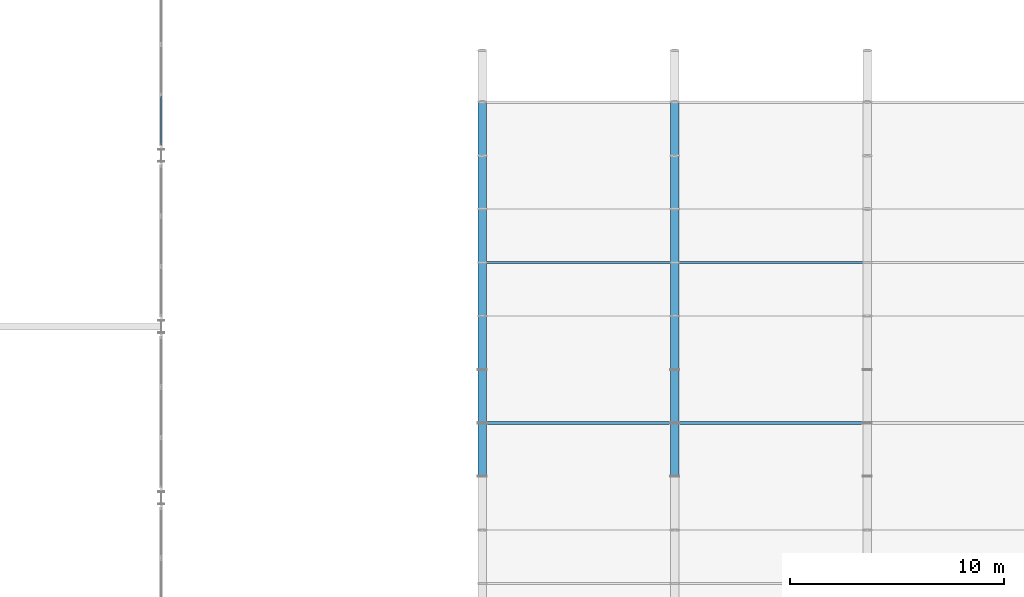
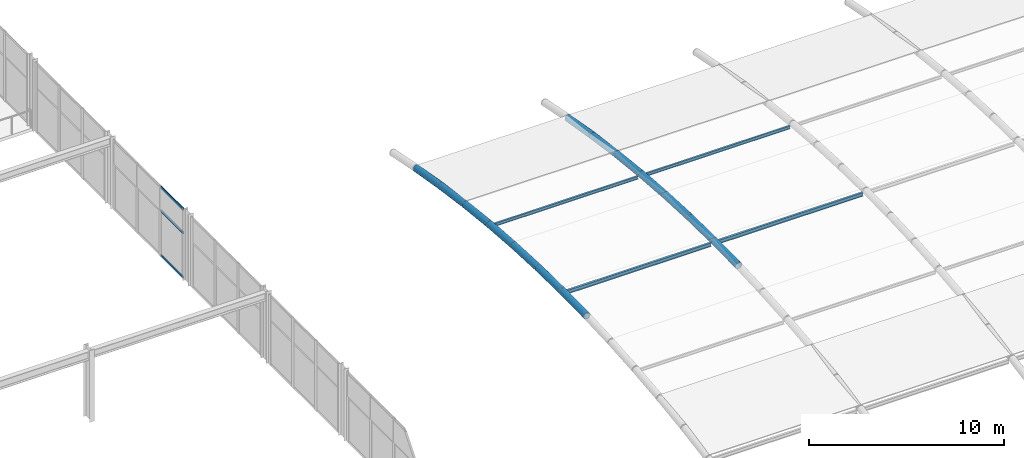
# One storey, part 44 of 105: 21 members, 1 element without a shape of its own.
"""IFC4 building model written with IfcOpenShell, lengths in metres."""

from ifc_helpers import new_model, si_unit, direction, frame, origin, origin_2d, place, context, subcontext, project, spatial, hollow_rectangle, hollow_circle, i_section, extrude, material, layer, layer_set, material_profile, profile_set, type_object, element, aggregate, save


model = new_model("IFC4")

# Units and contexts
model_context = context("Model", 3, precision=1e-05, world=origin(), true_north=direction((0.0, 1.0)))
body_context = subcontext(model_context, "Body", "Model", "MODEL_VIEW")
ifc_project = project(units=[si_unit("LENGTHUNIT", "METRE"), si_unit("AREAUNIT", "SQUARE_METRE"), si_unit("VOLUMEUNIT", "CUBIC_METRE"), si_unit("PLANEANGLEUNIT", "RADIAN"), si_unit("MASSUNIT", "GRAM", prefix="KILO")], contexts=[model_context])

# Site, building, storey
site_placement = place(None, origin())
site = spatial("IfcSite", under=ifc_project, at=site_placement, CompositionType="ELEMENT")
building_placement = place(site_placement, origin())
building = spatial("IfcBuilding", under=site, at=building_placement, Name="Marlcrest Central Station", CompositionType="ELEMENT")
storey_placement = place(building_placement, frame((0.0, 0.0, 15.0)))
storey = spatial("IfcBuildingStorey", under=building, at=storey_placement, Name="L03", CompositionType="ELEMENT", Elevation=15.0)

# Members
ifc_material_1 = material(Name="Steel S355", Category="steel")
ifc_material_profile_1 = material_profile(ifc_material_1, hollow_circle(Radius=0.203125, WallThickness=0.02001953125, at=origin_2d()), Name="CHS 406.4x20")
ifc_profile_set_1 = profile_set([ifc_material_profile_1], Name="Steel S355")
member_type_1 = type_object("IfcMemberType", Name="AC-01", PredefinedType="CHORD", material=ifc_profile_set_1)
for number, where, z_axis, x_axis, name in (
    (1, (144.0, 63.5, 1.76123046875), (0.0, 0.999879472592, 0.01552547228), (-1.0, 0.0, 0.0), "mem-AC-01-L03-01136"),
    (2, (144.0, 66.0, 1.800048828125), (0.0, 0.999879472592, -0.01552547228), (-1.0, 0.0, 0.0), "mem-AC-01-L03-01140"),
):
    element("IfcMember", number, at=place(storey_placement, frame(where, z_axis=z_axis, x_axis=x_axis)), inside=storey, type_object=member_type_1, Name=name, PredefinedType="CHORD", context=body_context, shape_type="SweptSolid", body=[
        extrude(hollow_circle(Radius=0.203125, WallThickness=0.02001953125, at=origin_2d()), origin(), (0.0, 0.0, 1.0), 2.500244140625),
    ])
member_1_placement = place(storey_placement, frame((144.0, 68.5, 1.76123046875), z_axis=(0.0, 0.998921349185, -0.046434234591), x_axis=(-1.0, 0.0, 0.0)))
element("IfcMember", 3, at=member_1_placement, inside=storey, type_object=member_type_1, Name="mem-AC-01-L03-01144", PredefinedType="CHORD", context=body_context, shape_type="SweptSolid", body=[
    extrude(hollow_circle(Radius=0.203125, WallThickness=0.02001953125, at=origin_2d()), origin(), (0.0, 0.0, 1.0), 2.502685546875),
])
member_2_placement = place(storey_placement, frame((144.0, 71.0, 1.64501953125), z_axis=(0.0, 0.996999825732, -0.077403795064), x_axis=(-1.0, 0.0, 0.0)))
element("IfcMember", 4, at=member_2_placement, inside=storey, type_object=member_type_1, Name="mem-AC-01-L03-01148", PredefinedType="CHORD", context=body_context, shape_type="SweptSolid", body=[
    extrude(hollow_circle(Radius=0.203125, WallThickness=0.02001953125, at=origin_2d()), origin(), (0.0, 0.0, 1.0), 2.507568359375),
])
member_3_placement = place(storey_placement, frame((144.0, 73.5, 1.450927734375), z_axis=(0.0, 0.994155341034, -0.107959056565), x_axis=(-1.0, 0.0, 0.0)))
element("IfcMember", 5, at=member_3_placement, inside=storey, type_object=member_type_1, Name="mem-AC-01-L03-01152", PredefinedType="CHORD", context=body_context, shape_type="SweptSolid", body=[
    extrude(hollow_circle(Radius=0.203125, WallThickness=0.02001953125, at=origin_2d()), origin(), (0.0, 0.0, 1.0), 2.5146484375),
])
member_4_placement = place(storey_placement, frame((144.0, 76.0, 1.179443359375), z_axis=(0.0, 0.990402740232, -0.138211476152), x_axis=(-1.0, 0.0, 0.0)))
element("IfcMember", 6, at=member_4_placement, inside=storey, type_object=member_type_1, Name="mem-AC-01-L03-01156", PredefinedType="CHORD", context=body_context, shape_type="SweptSolid", body=[
    extrude(hollow_circle(Radius=0.203125, WallThickness=0.02001953125, at=origin_2d()), origin(), (0.0, 0.0, 1.0), 2.524169921875),
])
member_5_placement = place(storey_placement, frame((144.0, 78.5, 0.83056640625), z_axis=(0.0, 0.98574109921, -0.168269086076), x_axis=(-1.0, 0.0, 0.0)))
element("IfcMember", 7, at=member_5_placement, inside=storey, type_object=member_type_1, Name="mem-AC-01-L03-01160", PredefinedType="CHORD", context=body_context, shape_type="SweptSolid", body=[
    extrude(hollow_circle(Radius=0.203125, WallThickness=0.02001953125, at=origin_2d()), origin(), (0.0, 0.0, 1.0), 2.5361328125),
])
for number, where, z_axis, x_axis, name in (
    (8, (153.0, 63.5, 1.76123046875), (0.0, 0.999879472592, 0.01552547228), (-1.0, 0.0, 0.0), "mem-AC-01-L03-01252"),
    (9, (153.0, 66.0, 1.800048828125), (0.0, 0.999879472592, -0.01552547228), (-1.0, 0.0, 0.0), "mem-AC-01-L03-01256"),
):
    element("IfcMember", number, at=place(storey_placement, frame(where, z_axis=z_axis, x_axis=x_axis)), inside=storey, type_object=member_type_1, Name=name, PredefinedType="CHORD", context=body_context, shape_type="SweptSolid", body=[
        extrude(hollow_circle(Radius=0.203125, WallThickness=0.02001953125, at=origin_2d()), origin(), (0.0, 0.0, 1.0), 2.500244140625),
    ])
member_6_placement = place(storey_placement, frame((153.0, 68.5, 1.76123046875), z_axis=(0.0, 0.998921349185, -0.046434234591), x_axis=(-1.0, 0.0, 0.0)))
element("IfcMember", 10, at=member_6_placement, inside=storey, type_object=member_type_1, Name="mem-AC-01-L03-01260", PredefinedType="CHORD", context=body_context, shape_type="SweptSolid", body=[
    extrude(hollow_circle(Radius=0.203125, WallThickness=0.02001953125, at=origin_2d()), origin(), (0.0, 0.0, 1.0), 2.502685546875),
])
member_7_placement = place(storey_placement, frame((153.0, 71.0, 1.64501953125), z_axis=(0.0, 0.996999825732, -0.077403795064), x_axis=(-1.0, 0.0, 0.0)))
element("IfcMember", 11, at=member_7_placement, inside=storey, type_object=member_type_1, Name="mem-AC-01-L03-01264", PredefinedType="CHORD", context=body_context, shape_type="SweptSolid", body=[
    extrude(hollow_circle(Radius=0.203125, WallThickness=0.02001953125, at=origin_2d()), origin(), (0.0, 0.0, 1.0), 2.507568359375),
])
member_8_placement = place(storey_placement, frame((153.0, 73.5, 1.450927734375), z_axis=(0.0, 0.994155341034, -0.107959056565), x_axis=(-1.0, 0.0, 0.0)))
element("IfcMember", 12, at=member_8_placement, inside=storey, type_object=member_type_1, Name="mem-AC-01-L03-01268", PredefinedType="CHORD", context=body_context, shape_type="SweptSolid", body=[
    extrude(hollow_circle(Radius=0.203125, WallThickness=0.02001953125, at=origin_2d()), origin(), (0.0, 0.0, 1.0), 2.5146484375),
])
member_9_placement = place(storey_placement, frame((153.0, 76.0, 1.179443359375), z_axis=(0.0, 0.990402740232, -0.138211476152), x_axis=(-1.0, 0.0, 0.0)))
element("IfcMember", 13, at=member_9_placement, inside=storey, type_object=member_type_1, Name="mem-AC-01-L03-01272", PredefinedType="CHORD", context=body_context, shape_type="SweptSolid", body=[
    extrude(hollow_circle(Radius=0.203125, WallThickness=0.02001953125, at=origin_2d()), origin(), (0.0, 0.0, 1.0), 2.524169921875),
])
member_10_placement = place(storey_placement, frame((153.0, 78.5, 0.83056640625), z_axis=(0.0, 0.98574109921, -0.168269086076), x_axis=(-1.0, 0.0, 0.0)))
element("IfcMember", 14, at=member_10_placement, inside=storey, type_object=member_type_1, Name="mem-AC-01-L03-01276", PredefinedType="CHORD", context=body_context, shape_type="SweptSolid", body=[
    extrude(hollow_circle(Radius=0.203125, WallThickness=0.02001953125, at=origin_2d()), origin(), (0.0, 0.0, 1.0), 2.5361328125),
])
ifc_material_profile_2 = material_profile(ifc_material_1, i_section(OverallWidth=0.10009765625, OverallDepth=0.199951171875, WebThickness=0.005615234375, FlangeThickness=0.008544921875, FilletRadius=0.011962890625, at=origin_2d()), Name="IPE 200")
ifc_profile_set_2 = profile_set([ifc_material_profile_2], Name="Steel S355")
member_type_2 = type_object("IfcMemberType", Name="PR-01", PredefinedType="PURLIN", material=ifc_profile_set_2)
for number, where, z_axis, x_axis, name in (
    (15, (144.179931640625, 73.5, 1.31103515625), (1.0, 0.0, 0.0), (0.0, 1.0, 0.0), "mem-PR-01-L03-01199"),
    (16, (153.179931640625, 73.5, 1.31103515625), (1.0, 0.0, 0.0), (0.0, 1.0, 0.0), "mem-PR-01-L03-01315"),
):
    element("IfcMember", number, at=place(storey_placement, frame(where, z_axis=z_axis, x_axis=x_axis)), inside=storey, type_object=member_type_2, Name=name, PredefinedType="PURLIN", context=body_context, shape_type="SweptSolid", body=[
        extrude(i_section(OverallWidth=0.10009765625, OverallDepth=0.199951171875, WebThickness=0.005615234375, FlangeThickness=0.008544921875, FilletRadius=0.011962890625, at=origin_2d()), origin(), (0.0, 0.0, 1.0), 8.64013671875),
    ])
ifc_material_profile_3 = material_profile(ifc_material_1, i_section(OverallWidth=0.1201171875, OverallDepth=0.239990234375, WebThickness=0.006103515625, FlangeThickness=0.009765625, FilletRadius=0.014892578125, at=origin_2d()), Name="IPE 240")
ifc_profile_set_3 = profile_set([ifc_material_profile_3], Name="Steel S355")
member_type_3 = type_object("IfcMemberType", Name="PR-02", PredefinedType="PURLIN", material=ifc_profile_set_3)
for number, where, z_axis, x_axis, name in (
    (17, (144.179931640625, 66.0, 1.659912109375), (1.0, 0.0, 0.0), (0.0, 1.0, 0.0), "mem-PR-02-L03-01198"),
    (18, (153.179931640625, 66.0, 1.659912109375), (1.0, 0.0, 0.0), (0.0, 1.0, 0.0), "mem-PR-02-L03-01314"),
):
    element("IfcMember", number, at=place(storey_placement, frame(where, z_axis=z_axis, x_axis=x_axis)), inside=storey, type_object=member_type_3, Name=name, PredefinedType="PURLIN", context=body_context, shape_type="SweptSolid", body=[
        extrude(i_section(OverallWidth=0.1201171875, OverallDepth=0.239990234375, WebThickness=0.006103515625, FlangeThickness=0.009765625, FilletRadius=0.014892578125, at=origin_2d()), origin(), (0.0, 0.0, 1.0), 8.64013671875),
    ])

# Curtain wall, members
ifc_material_2 = material(Name="Anodised aluminium and hurricane laminated glass", Category="aluminium")
ifc_layer = layer(ifc_material_2, 0.219970703125, Name="CW-U1")
ifc_layer_set = layer_set([ifc_layer], Name="Anodised aluminium and hurricane laminated glass")
curtain_wall_type = type_object("IfcCurtainWallType", Name="CW-U1", PredefinedType="USERDEFINED", material=ifc_layer_set)
curtain_wall_placement = place(storey_placement, origin())
curtain_wall = element("IfcCurtainWall", 19, at=curtain_wall_placement, inside=storey, type_object=curtain_wall_type, Name="cw-L03-0130", ObjectType="UNITISED_CURTAIN_WALL", PredefinedType="USERDEFINED")
ifc_material_3 = material(Name="Anodised aluminium 6063-T6", Category="aluminium")
ifc_material_profile_4 = material_profile(ifc_material_3, hollow_rectangle(XDim=0.06005859375, YDim=0.14990234375, WallThickness=0.00390625, at=origin_2d()), Name="AA-RHS 150x60x4")
ifc_profile_set_4 = profile_set([ifc_material_profile_4], Name="Anodised aluminium 6063-T6")
member_type_4 = type_object("IfcMemberType", Name="TR-01", PredefinedType="USERDEFINED", material=ifc_profile_set_4)
member_11_placement = place(storey_placement, frame((129.0, 81.27880859375, 0.0400390625), z_axis=(0.0, -1.0, 0.0), x_axis=(1.0, 0.0, 0.0)))
member_11 = element("IfcMember", 20, at=member_11_placement, type_object=member_type_4, Name="cw-L03-0130-tr-2-sill", ObjectType="TRANSOM", PredefinedType="USERDEFINED", context=body_context, shape_type="SweptSolid", body=[
    extrude(hollow_rectangle(XDim=0.06005859375, YDim=0.14990234375, WallThickness=0.00390625, at=origin_2d()), origin(), (0.0, 0.0, 1.0), 2.290771484375),
])
member_12_placement = place(storey_placement, frame((129.0, 81.27880859375, 2.827880859375), z_axis=(0.0, -1.0, 0.0), x_axis=(1.0, 0.0, 0.0)))
member_12 = element("IfcMember", 21, at=member_12_placement, type_object=member_type_4, Name="cw-L03-0130-tr-2-mid", ObjectType="TRANSOM", PredefinedType="USERDEFINED", context=body_context, shape_type="SweptSolid", body=[
    extrude(hollow_rectangle(XDim=0.06005859375, YDim=0.14990234375, WallThickness=0.00390625, at=origin_2d()), origin(), (0.0, 0.0, 1.0), 2.290771484375),
])
member_13_placement = place(storey_placement, frame((129.0, 81.27880859375, 4.31005859375), z_axis=(0.0, -1.0, 0.0), x_axis=(1.0, 0.0, 0.0)))
member_13 = element("IfcMember", 22, at=member_13_placement, type_object=member_type_4, Name="cw-L03-0130-tr-2-head", ObjectType="TRANSOM", PredefinedType="USERDEFINED", context=body_context, shape_type="SweptSolid", body=[
    extrude(hollow_rectangle(XDim=0.06005859375, YDim=0.14990234375, WallThickness=0.00390625, at=origin_2d()), origin(), (0.0, 0.0, 1.0), 2.290771484375),
])
aggregate(curtain_wall, [member_11, member_12, member_13])

save(model, "model.ifc")
